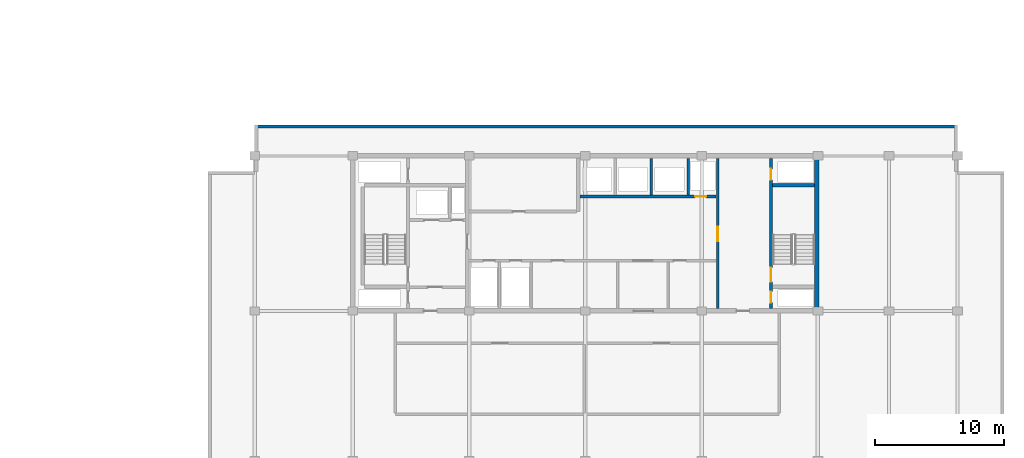
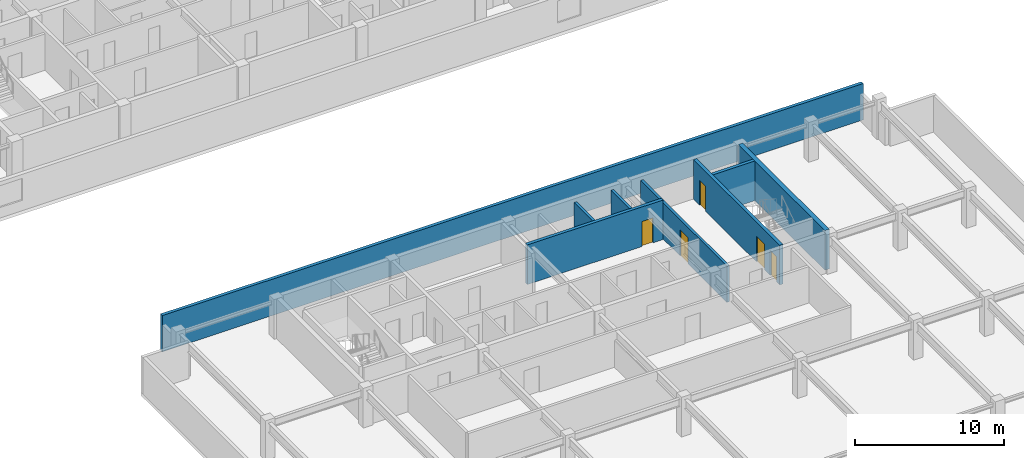
# One storey, part 6 of 17: 8 walls, 5 doors, 5 openings.
"""IFC4 building model written with IfcOpenShell, lengths in metres."""

from ifc_helpers import new_model, si_unit, direction, frame, frame_2d, origin, place, context, subcontext, project, spatial, rectangle, extrude, material, layer, layer_set, type_object, element, fill, save


model = new_model("IFC4")

# Units and contexts
model_context = context("Model", 3, precision=1e-05, world=origin(), true_north=direction((0.0, 1.0)))
body_context = subcontext(model_context, "Body", "Model", "MODEL_VIEW")
ifc_project = project(units=[si_unit("LENGTHUNIT", "METRE"), si_unit("AREAUNIT", "SQUARE_METRE"), si_unit("VOLUMEUNIT", "CUBIC_METRE"), si_unit("PLANEANGLEUNIT", "RADIAN"), si_unit("MASSUNIT", "GRAM", prefix="KILO")], contexts=[model_context])

# Site, building, storey
site_placement = place(None, origin())
site = spatial("IfcSite", under=ifc_project, at=site_placement, CompositionType="ELEMENT")
building_placement = place(site_placement, origin())
building = spatial("IfcBuilding", under=site, at=building_placement, Name="Korimba Cascade Residences", CompositionType="ELEMENT")
storey_placement = place(building_placement, frame((0.0, 0.0, 204.35009765625)))
storey = spatial("IfcBuildingStorey", under=building, at=storey_placement, Name="L59", CompositionType="ELEMENT", Elevation=204.35009765625)

# Walls
ifc_material_1 = material(Name="Precast concrete C40/50", Category="concrete")
ifc_layer_1 = layer(ifc_material_1, 0.25)
ifc_layer_set_1 = layer_set([ifc_layer_1], Name="Precast concrete C40/50")
wall_type_1 = type_object("IfcWallType", Name="EW-PLNT-250", PredefinedType="SHEAR", material=ifc_layer_set_1)
wall_1_placement = place(storey_placement, frame((128.89990234375, 32.675048828125, 0.0), z_axis=(0.0, 0.0, 1.0), x_axis=(-1.0, 0.0, 0.0)))
element("IfcWall", 1, at=wall_1_placement, inside=storey, type_object=wall_type_1, Name="L59 T2 Perimeter Stone Wall E06", PredefinedType="SHEAR", context=body_context, shape_type="SweptSolid", body=[
    extrude(rectangle(XDim=54.39990234375, YDim=0.25, at=frame_2d((27.199951171875, 0.0))), origin(), (0.0, 0.0, 1.0), 2.97998046875),
])
ifc_material_2 = material(Name="Concrete C65/80", Category="concrete")
ifc_layer_2 = layer(ifc_material_2, 0.35009765625)
ifc_layer_set_2 = layer_set([ifc_layer_2], Name="Concrete C65/80")
wall_type_2 = type_object("IfcWallType", Name="WAL-CORE-350", PredefinedType="SHEAR", material=ifc_layer_set_2)
wall_2_placement = place(storey_placement, frame((118.014892578125, 18.574951171875, 0.0), z_axis=(0.0, 0.0, 1.0), x_axis=(0.0, 1.0, 0.0)))
element("IfcWall", 2, at=wall_2_placement, inside=storey, type_object=wall_type_2, Name="L59 Core Shear Wall CW-L59-T2-E", PredefinedType="SHEAR", context=body_context, shape_type="SweptSolid", body=[
    extrude(rectangle(XDim=11.650146484375, YDim=0.35009765625, at=frame_2d((5.8251953125, 0.0))), origin(), (0.0, 0.0, 1.0), 3.25),
])
ifc_material_3 = material(Name="Concrete C40/50", Category="concrete")
ifc_layer_3 = layer(ifc_material_3, 0.199951171875)
ifc_layer_set_3 = layer_set([ifc_layer_3], Name="Concrete C40/50")
wall_type_3 = type_object("IfcWallType", Name="WAL-PART-200", PredefinedType="PARTITIONING", material=ifc_layer_set_3)
for number, where, z_axis, x_axis, name in (
    (3, (105.199951171875, 27.3798828125, 0.0), (0.0, 0.0, 1.0), (0.0, 1.0, 0.0), "L59 Partition Wall CW-L59-T2-B2D2"),
    (4, (108.050048828125, 27.3798828125, 0.0), (0.0, 0.0, 1.0), (0.0, 1.0, 0.0), "L59 Partition Wall CW-L59-T2-B2D3"),
):
    element("IfcWall", number, at=place(storey_placement, frame(where, z_axis=z_axis, x_axis=x_axis)), inside=storey, type_object=wall_type_3, Name=name, PredefinedType="PARTITIONING", context=body_context, shape_type="SweptSolid", body=[
        extrude(rectangle(XDim=2.820068359375, YDim=0.199951171875, at=frame_2d((1.41015625, 0.0))), origin(), (0.0, 0.0, 1.0), 2.97998046875),
    ])

# Wall, opening, door
wall_3_placement = place(storey_placement, frame((110.35009765625, 18.60009765625, 0.0), z_axis=(0.0, 0.0, 1.0), x_axis=(0.0, 1.0, 0.0)))
wall_3 = element("IfcWall", 5, at=wall_3_placement, inside=storey, type_object=wall_type_3, Name="L59 Partition Wall CW-L59-T2-LLEV", PredefinedType="PARTITIONING", context=body_context, shape_type="SweptSolid", body=[
    extrude(rectangle(XDim=11.599853515625, YDim=0.199951171875, at=frame_2d((5.7998046875, 0.0))), origin(), (0.0, 0.0, 1.0), 2.97998046875),
])
opening_1_placement = place(wall_3_placement, frame((5.199951171875, 0.0, 0.0)))
opening_1 = element("IfcOpeningElement", 6, at=opening_1_placement, cuts=wall_3, Name="Opening D-FD6", PredefinedType="OPENING", context=body_context, shape_type="SweptSolid", body=[
    extrude(rectangle(XDim=1.10009765625, YDim=2.14990234375, at=frame_2d((0.550048828125, 1.074951171875))), frame((0.0, 0.10986328125, 0.0), z_axis=(0.0, -1.0, 0.0), x_axis=(1.0, 0.0, 0.0)), (0.0, 0.0, 1.0), 0.219970703125),
])
ifc_material_4 = material(Name="Fire-Rated Timber Stair Lobby Door", Category="wood")
door_type_1 = type_object("IfcDoorType", Name="DR-FD90-1100", OperationType="NOTDEFINED", PredefinedType="DOOR", material=ifc_material_4)
door_1_placement = place(opening_1_placement, origin())
door_1 = element("IfcDoor", 7, at=door_1_placement, inside=storey, type_object=door_type_1, Name="L59 T2 Lift Lobby to East Stair Lobby Door", OperationType="SINGLE_SWING_LEFT", OverallHeight=2.14990234375, OverallWidth=1.10009765625, PredefinedType="DOOR", context=body_context, shape_type="SweptSolid", body=[
    extrude(rectangle(XDim=1.10009765625, YDim=2.14990234375, at=frame_2d((0.550048828125, 1.074951171875))), frame((0.0, 0.02490234375, 0.0), z_axis=(0.0, -1.0, 0.0), x_axis=(1.0, 0.0, 0.0)), (0.0, 0.0, 1.0), 0.050048828125),
])
fill(opening_1, door_1)

ifc_material_5 = material(Name="Concrete C50/60", Category="concrete")
ifc_layer_4 = layer(ifc_material_5, 0.25)
ifc_layer_set_4 = layer_set([ifc_layer_4], Name="Concrete C50/60")
wall_type_4 = type_object("IfcWallType", Name="WAL-SHAFT-250", PredefinedType="SHEAR", material=ifc_layer_set_4)
wall_4_placement = place(storey_placement, frame((99.679931640625, 27.25, 0.0), z_axis=(0.0, 0.0, 1.0), x_axis=(1.0, 0.0, 0.0)))
wall_4 = element("IfcWall", 8, at=wall_4_placement, inside=storey, type_object=wall_type_4, Name="L59 Core Shear Wall CW-L59-T2-B2S", PredefinedType="SHEAR", context=body_context, shape_type="SweptSolid", body=[
    extrude(rectangle(XDim=10.5400390625, YDim=0.25, at=frame_2d((5.27001953125, 0.0))), origin(), (0.0, 0.0, 1.0), 3.25),
])
opening_2_placement = place(wall_4_placement, frame((8.919921875, 0.0, 0.0)))
opening_2 = element("IfcOpeningElement", 9, at=opening_2_placement, cuts=wall_4, Name="Opening D-RS1", PredefinedType="OPENING", context=body_context, shape_type="SweptSolid", body=[
    extrude(rectangle(XDim=0.85009765625, YDim=2.050048828125, at=frame_2d((0.425048828125, 1.02490234375))), frame((0.0, 0.135009765625, 0.0), z_axis=(0.0, -1.0, 0.0), x_axis=(1.0, 0.0, 0.0)), (0.0, 0.0, 1.0), 0.27001953125),
])
ifc_material_6 = material(Name="Fire-Rated Steel Riser Access Door", Category="steel")
door_type_2 = type_object("IfcDoorType", Name="DR-FD60-850", OperationType="NOTDEFINED", PredefinedType="DOOR", material=ifc_material_6)
door_2_placement = place(opening_2_placement, origin())
door_2 = element("IfcDoor", 10, at=door_2_placement, inside=storey, type_object=door_type_2, Name="L59 T2 Duct Door", OperationType="SINGLE_SWING_RIGHT", OverallHeight=2.050048828125, OverallWidth=0.85009765625, PredefinedType="DOOR", context=body_context, shape_type="SweptSolid", body=[
    extrude(rectangle(XDim=0.85009765625, YDim=2.050048828125, at=frame_2d((0.425048828125, 1.02490234375))), frame((0.0, 0.02490234375, 0.0), z_axis=(0.0, -1.0, 0.0), x_axis=(1.0, 0.0, 0.0)), (0.0, 0.0, 1.0), 0.050048828125),
])
fill(opening_2, door_2)

# Wall, openings, doors
wall_5_placement = place(storey_placement, frame((114.47509765625, 18.60009765625, 0.0), z_axis=(0.0, 0.0, 1.0), x_axis=(0.0, 1.0, 0.0)))
wall_5 = element("IfcWall", 11, at=wall_5_placement, inside=storey, type_object=wall_type_4, Name="L59 Core Shear Wall CW-L59-T2-STE2W", PredefinedType="SHEAR", context=body_context, shape_type="SweptSolid", body=[
    extrude(rectangle(XDim=11.599853515625, YDim=0.25, at=frame_2d((5.7998046875, 0.0))), origin(), (0.0, 0.0, 1.0), 3.25),
])
opening_3_placement = place(wall_5_placement, frame((0.449951171875, 0.0, 0.0)))
opening_3 = element("IfcOpeningElement", 12, at=opening_3_placement, cuts=wall_5, Name="Opening D-RS1", PredefinedType="OPENING", context=body_context, shape_type="SweptSolid", body=[
    extrude(rectangle(XDim=0.85009765625, YDim=2.050048828125, at=frame_2d((0.425048828125, 1.02490234375))), frame((0.0, 0.135009765625, 0.0), z_axis=(0.0, -1.0, 0.0), x_axis=(1.0, 0.0, 0.0)), (0.0, 0.0, 1.0), 0.27001953125),
])
opening_4_placement = place(wall_5_placement, frame((2.050048828125, 0.0, 0.0)))
opening_4 = element("IfcOpeningElement", 13, at=opening_4_placement, cuts=wall_5, Name="Opening D-FD1", PredefinedType="OPENING", context=body_context, shape_type="SweptSolid", body=[
    extrude(rectangle(XDim=1.10009765625, YDim=2.10009765625, at=frame_2d((0.550048828125, 1.050048828125))), frame((0.0, 0.135009765625, 0.0), z_axis=(0.0, -1.0, 0.0), x_axis=(1.0, 0.0, 0.0)), (0.0, 0.0, 1.0), 0.27001953125),
])
opening_5_placement = place(wall_5_placement, frame((9.949951171875, 0.0, 0.0)))
opening_5 = element("IfcOpeningElement", 14, at=opening_5_placement, cuts=wall_5, Name="Opening D-RS1", PredefinedType="OPENING", context=body_context, shape_type="SweptSolid", body=[
    extrude(rectangle(XDim=0.85009765625, YDim=2.050048828125, at=frame_2d((0.425048828125, 1.02490234375))), frame((0.0, 0.135009765625, 0.0), z_axis=(0.0, -1.0, 0.0), x_axis=(1.0, 0.0, 0.0)), (0.0, 0.0, 1.0), 0.27001953125),
])
ifc_material_7 = material(Name="Fire-Rated Steel Core Door", Category="steel")
door_type_3 = type_object("IfcDoorType", Name="DR-FD120-1100", OperationType="NOTDEFINED", PredefinedType="DOOR", material=ifc_material_7)
door_3_placement = place(opening_4_placement, origin())
door_3 = element("IfcDoor", 15, at=door_3_placement, inside=storey, type_object=door_type_3, Name="L59 Fire Stair ST-E2 Door", OperationType="SINGLE_SWING_LEFT", OverallHeight=2.10009765625, OverallWidth=1.10009765625, PredefinedType="DOOR", context=body_context, shape_type="SweptSolid", body=[
    extrude(rectangle(XDim=1.10009765625, YDim=2.10009765625, at=frame_2d((0.550048828125, 1.050048828125))), frame((0.0, 0.02490234375, 0.0), z_axis=(0.0, -1.0, 0.0), x_axis=(1.0, 0.0, 0.0)), (0.0, 0.0, 1.0), 0.050048828125),
])
fill(opening_4, door_3)
door_4_placement = place(opening_3_placement, origin())
door_4 = element("IfcDoor", 16, at=door_4_placement, inside=storey, type_object=door_type_2, Name="L59 T2 East Hydrant Door", OperationType="SINGLE_SWING_RIGHT", OverallHeight=2.050048828125, OverallWidth=0.85009765625, PredefinedType="DOOR", context=body_context, shape_type="SweptSolid", body=[
    extrude(rectangle(XDim=0.85009765625, YDim=2.050048828125, at=frame_2d((0.425048828125, 1.02490234375))), frame((0.0, 0.02490234375, 0.0), z_axis=(0.0, -1.0, 0.0), x_axis=(1.0, 0.0, 0.0)), (0.0, 0.0, 1.0), 0.050048828125),
])
fill(opening_3, door_4)
door_5_placement = place(opening_5_placement, origin())
door_5 = element("IfcDoor", 17, at=door_5_placement, inside=storey, type_object=door_type_2, Name="L59 T2 East Riser Door", OperationType="SINGLE_SWING_RIGHT", OverallHeight=2.050048828125, OverallWidth=0.85009765625, PredefinedType="DOOR", context=body_context, shape_type="SweptSolid", body=[
    extrude(rectangle(XDim=0.85009765625, YDim=2.050048828125, at=frame_2d((0.425048828125, 1.02490234375))), frame((0.0, 0.02490234375, 0.0), z_axis=(0.0, -1.0, 0.0), x_axis=(1.0, 0.0, 0.0)), (0.0, 0.0, 1.0), 0.050048828125),
])
fill(opening_5, door_5)

# Wall
wall_6_placement = place(storey_placement, frame((114.60009765625, 28.125, 0.0), z_axis=(0.0, 0.0, 1.0), x_axis=(1.0, 0.0, 0.0)))
element("IfcWall", 18, at=wall_6_placement, inside=storey, type_object=wall_type_4, Name="L59 Core Shear Wall CW-L59-T2-STE2N", PredefinedType="SHEAR", context=body_context, shape_type="SweptSolid", body=[
    extrude(rectangle(XDim=3.239990234375, YDim=0.25, at=frame_2d((1.6201171875, 0.0))), origin(), (0.0, 0.0, 1.0), 3.25),
])

save(model, "model.ifc")
